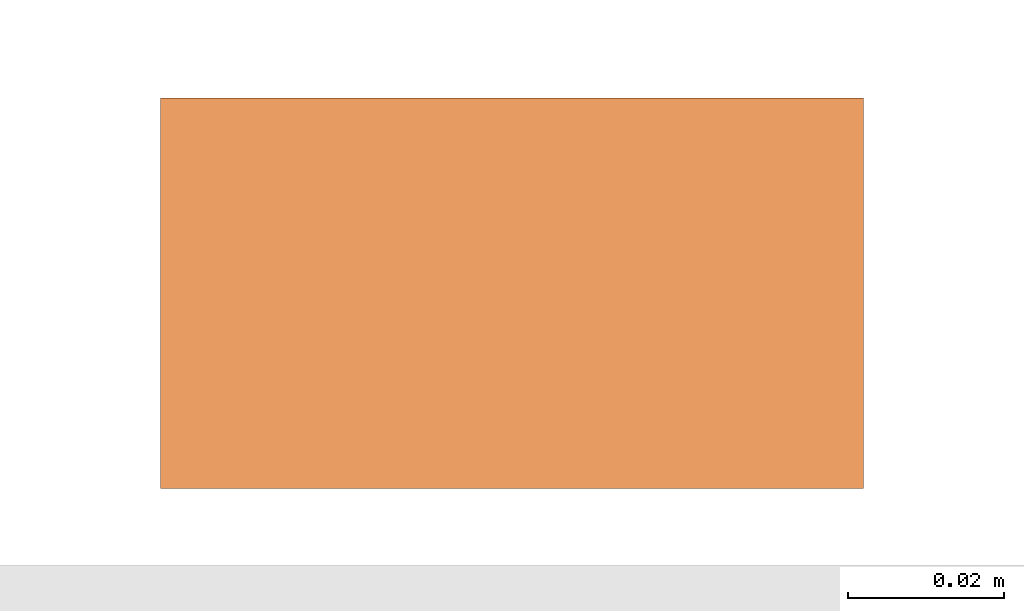
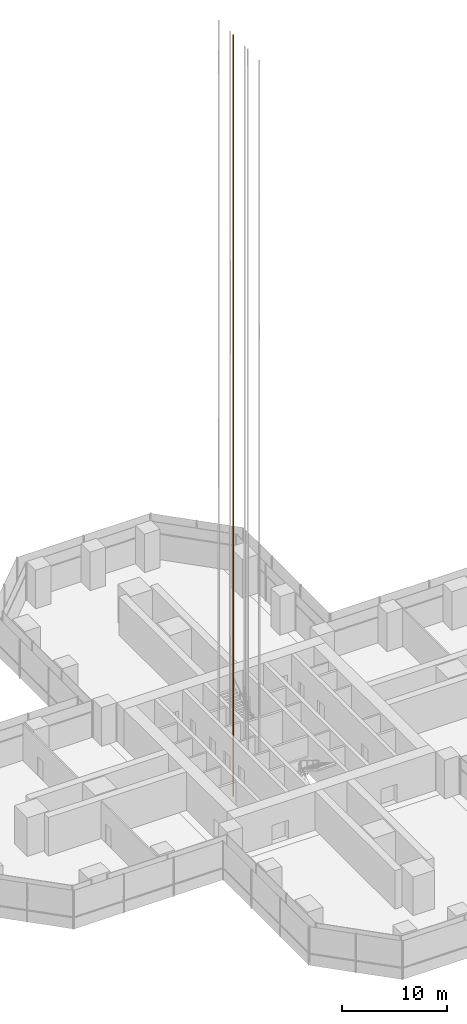
# One storey, part 25 of 27: 1 proxy.
"""IFC4 building model written with IfcOpenShell, lengths in metres."""

import ifcopenshell
import ifcopenshell.guid

model = None  # the IFC model being written
_history = None  # IfcOwnerHistory: only IFC2X3 demands one
_inside = {}  # id of a spatial element -> (the spatial element, [elements in it])
_under = {}  # id of a project, library or spatial element -> (it, [spatial elements below it])
_declared = {}  # id of a project -> (the project, [libraries it declares])
_typed = {}  # id of a type object -> (the type object, [elements of that type])
_made_of = {}  # id of a material, layer set ... -> (it, [elements and type objects made of it])


def new_model(schema):
    """Start an empty IFC model of exactly this schema.

    Asked for "IFC4X3", IfcOpenShell would pick the latest addendum, in which some entities
    have other attributes; the version numbers below select the first issue.
    IFC2X3 requires an IfcOwnerHistory on every rooted entity: one is made here for all.
    """
    global model, _history
    if schema == "IFC4X3":
        model = ifcopenshell.file(schema_version=(4, 3, 0, 0))
    else:
        model = ifcopenshell.file(schema=schema)
    _inside.clear()
    _under.clear()
    _declared.clear()
    _typed.clear()
    _made_of.clear()
    _history = None
    if model.schema == "IFC2X3":
        org = make("IfcOrganization", Name="unknown")
        user = make(
            "IfcPersonAndOrganization",
            ThePerson=make("IfcPerson", FamilyName="unknown"),
            TheOrganization=org,
        )
        app = make(
            "IfcApplication",
            ApplicationDeveloper=org,
            Version="unknown",
            ApplicationFullName="unknown",
            ApplicationIdentifier="unknown",
        )
        _history = make(
            "IfcOwnerHistory",
            OwningUser=user,
            OwningApplication=app,
            ChangeAction="ADDED",
            CreationDate=0,
        )
    return model


def make(cls, **values):
    """One entity of the class cls with the attributes given. An attribute that is None is left unset."""
    return model.create_entity(
        cls, **{name: value for name, value in values.items() if value is not None}
    )


def rooted(cls, **values):
    """An entity with a GlobalId (a new one), such as an element, a storey or a relation."""
    return make(cls, GlobalId=ifcopenshell.guid.new(), OwnerHistory=_history, **values)


def si_unit(unit_type, name, prefix=None):
    """IfcSIUnit, for example si_unit("LENGTHUNIT", "METRE", prefix="MILLI")."""
    return make("IfcSIUnit", UnitType=unit_type, Prefix=prefix, Name=name)


def assignment(units):
    """IfcUnitAssignment: the units of a project."""
    return None if units is None else make("IfcUnitAssignment", Units=units)


def point(xyz):
    """IfcCartesianPoint."""
    return None if xyz is None else make("IfcCartesianPoint", Coordinates=xyz)


def direction(xyz):
    """IfcDirection."""
    return None if xyz is None else make("IfcDirection", DirectionRatios=xyz)


def frame(location, z_axis=None, x_axis=None):
    """IfcAxis2Placement3D, a coordinate frame: its origin and axes. An axis left out is left unset."""
    return make(
        "IfcAxis2Placement3D",
        Location=point(location),
        Axis=direction(z_axis),
        RefDirection=direction(x_axis),
    )


def frame_2d(location, x_axis=None):
    """IfcAxis2Placement2D, a coordinate frame in the plane: its origin and x axis."""
    return make(
        "IfcAxis2Placement2D", Location=point(location), RefDirection=direction(x_axis)
    )


def origin():
    """The frame at (0, 0, 0) with its axes left unset."""
    return frame((0.0, 0.0, 0.0))


def origin_2d():
    """The frame at (0, 0) in the plane with its x axis left unset."""
    return frame_2d((0.0, 0.0))


def place(relative_to, where):
    """IfcLocalPlacement: puts the frame where relative to a parent placement (None: the world)."""
    return make(
        "IfcLocalPlacement", PlacementRelTo=relative_to, RelativePlacement=where
    )


def context(
    kind, dimensions, precision=None, world=None, true_north=None, identifier=None
):
    """IfcGeometricRepresentationContext, for example the 3D "Model" context."""
    return make(
        "IfcGeometricRepresentationContext",
        ContextIdentifier=identifier,
        ContextType=kind,
        CoordinateSpaceDimension=dimensions,
        Precision=precision,
        WorldCoordinateSystem=world,
        TrueNorth=true_north,
    )


def subcontext(parent, identifier, kind, view, scale=None):
    """IfcGeometricRepresentationSubContext, for example "Body" below "Model"."""
    return make(
        "IfcGeometricRepresentationSubContext",
        ContextIdentifier=identifier,
        ContextType=kind,
        ParentContext=parent,
        TargetScale=scale,
        TargetView=view,
    )


def project(units=None, contexts=None):
    """IfcProject with its units and contexts."""
    return rooted(
        "IfcProject",
        Name="project",
        RepresentationContexts=contexts,
        UnitsInContext=assignment(units),
    )


def spatial(cls, under=None, at=None, **own):
    """A site, building, storey or space (cls), placed at a placement, below another one or the project."""
    s = rooted(cls, ObjectPlacement=at, **own)
    if under is not None:
        _under.setdefault(under.id(), (under, []))[1].append(s)
    return s


def profile(cls, at=None, kind="AREA", **sizes):
    """A parametric profile (cls). Its sizes go by their IFC names, for example OverallWidth=200.0."""
    return make(cls, ProfileType=kind, Position=at, **sizes)


def rectangle(**sizes):
    """IfcRectangleProfileDef."""
    return profile("IfcRectangleProfileDef", **sizes)


def extrude(swept, where, along, depth):
    """IfcExtrudedAreaSolid: the profile swept, set in the frame where, extruded along a direction by depth."""
    return make(
        "IfcExtrudedAreaSolid",
        SweptArea=swept,
        Position=where,
        ExtrudedDirection=direction(along),
        Depth=depth,
    )


def shape(context_of_items, identifier, shape_type, items):
    """IfcShapeRepresentation: the items that make up one representation, for example the "Body"."""
    return make(
        "IfcShapeRepresentation",
        ContextOfItems=context_of_items,
        RepresentationIdentifier=identifier,
        RepresentationType=shape_type,
        Items=items,
    )


def material(Name=None, Category=None):
    """IfcMaterial."""
    return make("IfcMaterial", Name=Name, Category=Category)


def made_of(thing, what):
    """Note that an element or type object is made of a material, layer set ...; save() writes the relation."""
    if what is not None:
        _made_of.setdefault(what.id(), (what, []))[1].append(thing)
    return thing


def element(
    cls,
    number,
    at=None,
    inside=None,
    cuts=None,
    type_object=None,
    material=None,
    context=None,
    identifier="Body",
    shape_type=None,
    held_by="IfcProductDefinitionShape",
    body=None,
    shapes=None,
    **own,
):
    """One element of the class cls, such as IfcWall. Its Tag is "e" and its number.

    at: its placement. inside: the storey or other place that contains it. cuts: it is an
    opening in that element (IfcRelVoidsElement). A single representation is given by context,
    identifier, shape_type and body (its items); several are given by shapes. held_by: the class
    of the entity that holds the representations. save() writes the other relations.
    """
    e = rooted(cls, Tag="e%d" % number, ObjectPlacement=at, **own)
    if body is not None:
        shapes = [shape(context, identifier, shape_type, body)]
    if shapes is not None:
        e.Representation = make(held_by, Representations=shapes)
    if inside is not None:
        _inside.setdefault(inside.id(), (inside, []))[1].append(e)
    if cuts is not None:
        rooted(
            "IfcRelVoidsElement", RelatingBuildingElement=cuts, RelatedOpeningElement=e
        )
    if type_object is not None:
        _typed.setdefault(type_object.id(), (type_object, []))[1].append(e)
    return made_of(e, material)


def aggregate(whole, parts):
    """IfcRelAggregates: a whole, such as a stair, and the parts it consists of."""
    return rooted("IfcRelAggregates", RelatingObject=whole, RelatedObjects=parts)


def save(model, path):
    """Write the relations noted so far, then the file.

    IfcRelAggregates (storeys below a building ...), IfcRelContainedInSpatialStructure (elements
    in a storey), IfcRelDefinesByType, IfcRelAssociatesMaterial and IfcRelDeclares: one each for
    every whole, place, type object, material and project.
    """
    for whole, parts in _under.values():
        aggregate(whole, parts)
    for where, things in _inside.values():
        rooted(
            "IfcRelContainedInSpatialStructure",
            RelatedElements=things,
            RelatingStructure=where,
        )
    for kind, things in _typed.values():
        rooted("IfcRelDefinesByType", RelatedObjects=things, RelatingType=kind)
    for what, things in _made_of.values():
        rooted("IfcRelAssociatesMaterial", RelatedObjects=things, RelatingMaterial=what)
    for by, libraries in _declared.values():
        rooted("IfcRelDeclares", RelatingContext=by, RelatedDefinitions=libraries)
    model.write(path)


model = new_model("IFC4")

# Units and contexts
model_context = context("Model", 3, precision=1e-05, world=origin(), true_north=direction((0.0, 1.0)))
body_context = subcontext(model_context, "Body", "Model", "MODEL_VIEW")
ifc_project = project(units=[si_unit("LENGTHUNIT", "METRE"), si_unit("AREAUNIT", "SQUARE_METRE"), si_unit("VOLUMEUNIT", "CUBIC_METRE"), si_unit("PLANEANGLEUNIT", "RADIAN"), si_unit("MASSUNIT", "GRAM", prefix="KILO")], contexts=[model_context])

# Site, building, storey
site_placement = place(None, origin())
site = spatial("IfcSite", under=ifc_project, at=site_placement, CompositionType="ELEMENT")
building_placement = place(site_placement, origin())
building = spatial("IfcBuilding", under=site, at=building_placement, Name="Mizan Broadcast Tower", CompositionType="ELEMENT")
storey_placement = place(building_placement, frame((0.0, 0.0, 113.699951171875)))
storey = spatial("IfcBuildingStorey", under=building, at=storey_placement, Name="L25", CompositionType="ELEMENT", Elevation=113.699951171875)

# Proxy
ifc_material = material(Name="Steel guide rail", Category="steel")
proxy_placement = place(storey_placement, frame((-3.324951171875, 2.4599609375, -3.89990234375), z_axis=(0.0, 0.0, 1.0), x_axis=(1.0, 0.0, 0.0)))
element("IfcBuildingElementProxy", 1, at=proxy_placement, inside=storey, material=ifc_material, Name="Guide rail LB2-2", PredefinedType="NOTDEFINED", context=body_context, shape_type="SweptSolid", body=[
    extrude(rectangle(XDim=0.090087890625, YDim=0.050048828125, at=origin_2d()), origin(), (0.0, 0.0, 1.0), 88.8701171875),
])

save(model, "model.ifc")
